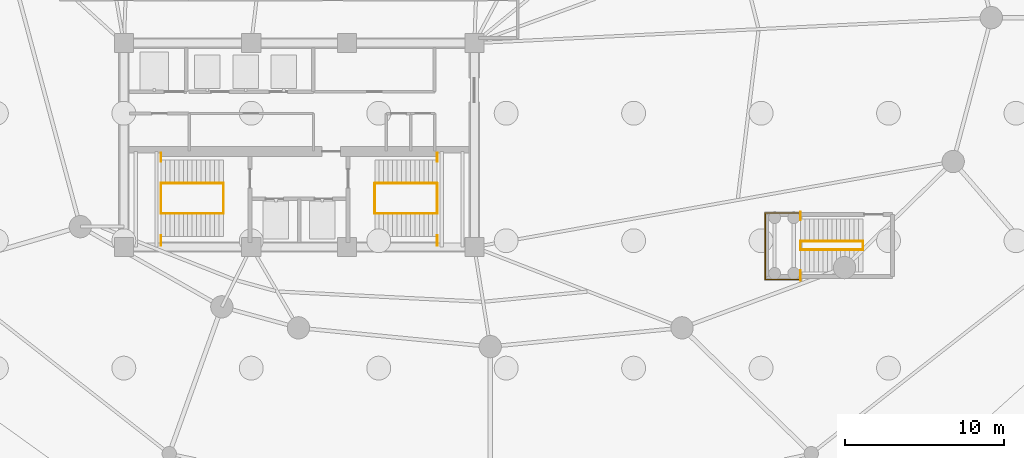
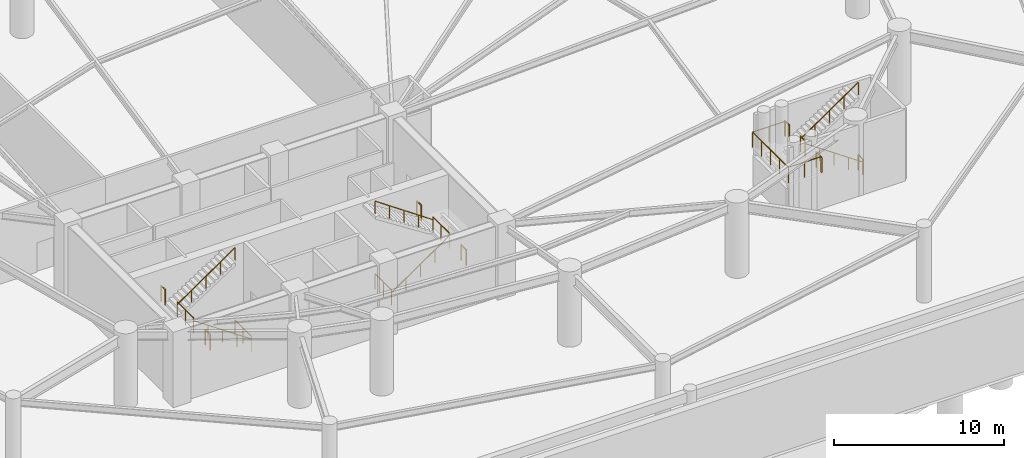
# One storey, part 17 of 22: 19 railings.
"""IFC4 building model written with IfcOpenShell, lengths in metres."""

from ifc_helpers import new_model, si_unit, direction, frame, origin, origin_2d, place, context, subcontext, project, spatial, rectangle, extrude, material, type_object, element, save


model = new_model("IFC4")

# Units and contexts
model_context = context("Model", 3, precision=1e-05, world=origin(), true_north=direction((0.0, 1.0)))
body_context = subcontext(model_context, "Body", "Model", "MODEL_VIEW")
ifc_project = project(units=[si_unit("LENGTHUNIT", "METRE"), si_unit("AREAUNIT", "SQUARE_METRE"), si_unit("VOLUMEUNIT", "CUBIC_METRE"), si_unit("PLANEANGLEUNIT", "RADIAN"), si_unit("MASSUNIT", "GRAM", prefix="KILO")], contexts=[model_context])

# Site, building, storey
site_placement = place(None, origin())
site = spatial("IfcSite", under=ifc_project, at=site_placement, CompositionType="ELEMENT")
building_placement = place(site_placement, origin())
building = spatial("IfcBuilding", under=site, at=building_placement, Name="Kazevale Care Tower and Concert Hall", CompositionType="ELEMENT")
storey_placement = place(building_placement, frame((0.0, 0.0, -5.39990234375)))
storey = spatial("IfcBuildingStorey", under=building, at=storey_placement, Name="B1", CompositionType="ELEMENT", Elevation=-5.39990234375)

# Railings
ifc_material = material(Name="Stainless Steel 316", Category="steel")
railing_type_1 = type_object("IfcRailingType", Name="Stair Pitch Handrail 920", PredefinedType="HANDRAIL", material=ifc_material)
railing_1_placement = place(storey_placement, frame((28.25, 25.699951171875, 0.0)))
element("IfcRailing", 1, at=railing_1_placement, inside=storey, type_object=railing_type_1, Name="stair:B1:ST1:hr1", PredefinedType="HANDRAIL", context=body_context, shape_type="SweptSolid", body=[
    extrude(rectangle(XDim=0.048095703125, YDim=0.048095703125, at=origin_2d()), frame((0.0, 0.0, 0.89599609375), z_axis=(-0.823550731654, 0.0, 0.567242622158), x_axis=(0.0, -1.0, 0.0)), (0.0, 0.0, 1.0), 4.759765625),
    extrude(rectangle(XDim=0.0419921875, YDim=0.0419921875, at=origin_2d()), origin(), (0.0, 0.0, 1.0), 0.871826171875),
    extrude(rectangle(XDim=0.0419921875, YDim=0.0419921875, at=origin_2d()), frame((-0.97998046875, 0.0, 0.675048828125)), (0.0, 0.0, 1.0), 0.871826171875),
    extrude(rectangle(XDim=0.0419921875, YDim=0.0419921875, at=origin_2d()), frame((-1.9599609375, 0.0, 1.35009765625)), (0.0, 0.0, 1.0), 0.871826171875),
    extrude(rectangle(XDim=0.0419921875, YDim=0.0419921875, at=origin_2d()), frame((-2.93994140625, 0.0, 2.02490234375)), (0.0, 0.0, 1.0), 0.871826171875),
    extrude(rectangle(XDim=0.0419921875, YDim=0.0419921875, at=origin_2d()), frame((-3.919921875, 0.0, 2.699951171875)), (0.0, 0.0, 1.0), 0.871826171875),
])
for number, where, name in (
    (2, (24.330078125, 27.60009765625, 2.699951171875), "stair:B1:ST1:hr2"),
    (3, (37.75, 25.699951171875, 0.0), "stair:B1:ST2:hr1"),
):
    element("IfcRailing", number, at=place(storey_placement, frame(where)), inside=storey, type_object=railing_type_1, Name=name, PredefinedType="HANDRAIL", context=body_context, shape_type="SweptSolid", body=[
        extrude(rectangle(XDim=0.048095703125, YDim=0.048095703125, at=origin_2d()), frame((0.0, 0.0, 0.89599609375), z_axis=(0.823550731654, 0.0, 0.567242622158), x_axis=(0.0, 1.0, 0.0)), (0.0, 0.0, 1.0), 4.759765625),
        extrude(rectangle(XDim=0.0419921875, YDim=0.0419921875, at=origin_2d()), origin(), (0.0, 0.0, 1.0), 0.871826171875),
        extrude(rectangle(XDim=0.0419921875, YDim=0.0419921875, at=origin_2d()), frame((0.97998046875, 0.0, 0.675048828125)), (0.0, 0.0, 1.0), 0.871826171875),
        extrude(rectangle(XDim=0.0419921875, YDim=0.0419921875, at=origin_2d()), frame((1.9599609375, 0.0, 1.35009765625)), (0.0, 0.0, 1.0), 0.871826171875),
        extrude(rectangle(XDim=0.0419921875, YDim=0.0419921875, at=origin_2d()), frame((2.93994140625, 0.0, 2.02490234375)), (0.0, 0.0, 1.0), 0.871826171875),
        extrude(rectangle(XDim=0.0419921875, YDim=0.0419921875, at=origin_2d()), frame((3.919921875, 0.0, 2.699951171875)), (0.0, 0.0, 1.0), 0.871826171875),
    ])
for number, where, name in (
    (4, (41.669921875, 27.60009765625, 2.699951171875), "stair:B1:ST2:hr2"),
    (5, (68.39990234375, 23.429931640625, 0.0), "stair:B1:ST3:hr1"),
):
    element("IfcRailing", number, at=place(storey_placement, frame(where)), inside=storey, type_object=railing_type_1, Name=name, PredefinedType="HANDRAIL", context=body_context, shape_type="SweptSolid", body=[
        extrude(rectangle(XDim=0.048095703125, YDim=0.048095703125, at=origin_2d()), frame((0.0, 0.0, 0.89599609375), z_axis=(-0.823550731654, 0.0, 0.567242622158), x_axis=(0.0, -1.0, 0.0)), (0.0, 0.0, 1.0), 4.759765625),
        extrude(rectangle(XDim=0.0419921875, YDim=0.0419921875, at=origin_2d()), origin(), (0.0, 0.0, 1.0), 0.871826171875),
        extrude(rectangle(XDim=0.0419921875, YDim=0.0419921875, at=origin_2d()), frame((-0.97998046875, 0.0, 0.675048828125)), (0.0, 0.0, 1.0), 0.871826171875),
        extrude(rectangle(XDim=0.0419921875, YDim=0.0419921875, at=origin_2d()), frame((-1.9599609375, 0.0, 1.35009765625)), (0.0, 0.0, 1.0), 0.871826171875),
        extrude(rectangle(XDim=0.0419921875, YDim=0.0419921875, at=origin_2d()), frame((-2.93994140625, 0.0, 2.02490234375)), (0.0, 0.0, 1.0), 0.871826171875),
        extrude(rectangle(XDim=0.0419921875, YDim=0.0419921875, at=origin_2d()), frame((-3.919921875, 0.0, 2.699951171875)), (0.0, 0.0, 1.0), 0.871826171875),
    ])
railing_2_placement = place(storey_placement, frame((64.47998046875, 23.969970703125, 2.699951171875)))
element("IfcRailing", 6, at=railing_2_placement, inside=storey, type_object=railing_type_1, Name="stair:B1:ST3:hr2", PredefinedType="HANDRAIL", context=body_context, shape_type="SweptSolid", body=[
    extrude(rectangle(XDim=0.048095703125, YDim=0.048095703125, at=origin_2d()), frame((0.0, 0.0, 0.89599609375), z_axis=(0.823550731654, 0.0, 0.567242622158), x_axis=(0.0, 1.0, 0.0)), (0.0, 0.0, 1.0), 4.759765625),
    extrude(rectangle(XDim=0.0419921875, YDim=0.0419921875, at=origin_2d()), origin(), (0.0, 0.0, 1.0), 0.871826171875),
    extrude(rectangle(XDim=0.0419921875, YDim=0.0419921875, at=origin_2d()), frame((0.97998046875, 0.0, 0.675048828125)), (0.0, 0.0, 1.0), 0.871826171875),
    extrude(rectangle(XDim=0.0419921875, YDim=0.0419921875, at=origin_2d()), frame((1.9599609375, 0.0, 1.35009765625)), (0.0, 0.0, 1.0), 0.871826171875),
    extrude(rectangle(XDim=0.0419921875, YDim=0.0419921875, at=origin_2d()), frame((2.93994140625, 0.0, 2.02490234375)), (0.0, 0.0, 1.0), 0.871826171875),
    extrude(rectangle(XDim=0.0419921875, YDim=0.0419921875, at=origin_2d()), frame((3.919921875, 0.0, 2.699951171875)), (0.0, 0.0, 1.0), 0.871826171875),
])
railing_type_2 = type_object("IfcRailingType", Name="Stair Well Guard Balustrade 1120", PredefinedType="BALUSTRADE", material=ifc_material)
railing_3_placement = place(storey_placement, frame((24.330078125, 23.699951171875, 2.699951171875)))
element("IfcRailing", 7, at=railing_3_placement, inside=storey, type_object=railing_type_2, Name="stair:B1:ST1:grd_side1", PredefinedType="BALUSTRADE", context=body_context, shape_type="SweptSolid", body=[
    extrude(rectangle(XDim=0.048095703125, YDim=0.048095703125, at=origin_2d()), frame((0.0, 0.0, 1.09619140625), z_axis=(0.0, 1.0, 0.0), x_axis=(-1.0, 0.0, 0.0)), (0.0, 0.0, 1.0), 0.610107421875),
    extrude(rectangle(XDim=0.0419921875, YDim=0.0419921875, at=origin_2d()), origin(), (0.0, 0.0, 1.0), 1.072021484375),
    extrude(rectangle(XDim=0.0419921875, YDim=0.0419921875, at=origin_2d()), frame((0.0, 0.610107421875, 0.0)), (0.0, 0.0, 1.0), 1.072021484375),
])
railing_4_placement = place(storey_placement, frame((24.330078125, 28.989990234375, 2.699951171875)))
element("IfcRailing", 8, at=railing_4_placement, inside=storey, type_object=railing_type_2, Name="stair:B1:ST1:grd_side2", PredefinedType="BALUSTRADE", context=body_context, shape_type="SweptSolid", body=[
    extrude(rectangle(XDim=0.048095703125, YDim=0.048095703125, at=origin_2d()), frame((0.0, 0.0, 1.09619140625), z_axis=(0.0, 1.0, 0.0), x_axis=(-1.0, 0.0, 0.0)), (0.0, 0.0, 1.0), 0.510009765625),
    extrude(rectangle(XDim=0.0419921875, YDim=0.0419921875, at=origin_2d()), origin(), (0.0, 0.0, 1.0), 1.072021484375),
    extrude(rectangle(XDim=0.0419921875, YDim=0.0419921875, at=origin_2d()), frame((0.0, 0.510009765625, 0.0)), (0.0, 0.0, 1.0), 1.072021484375),
])
for number, where, name in (
    (9, (24.330078125, 25.699951171875, 2.699951171875), "stair:B1:ST1:grd_mid"),
    (10, (28.25, 25.699951171875, 0.0), "stair:B1:ST1:grd_flr"),
):
    element("IfcRailing", number, at=place(storey_placement, frame(where)), inside=storey, type_object=railing_type_2, Name=name, PredefinedType="BALUSTRADE", context=body_context, shape_type="SweptSolid", body=[
        extrude(rectangle(XDim=0.048095703125, YDim=0.048095703125, at=origin_2d()), frame((0.0, 0.0, 1.09619140625), z_axis=(0.0, 1.0, 0.0), x_axis=(-1.0, 0.0, 0.0)), (0.0, 0.0, 1.0), 1.900146484375),
        extrude(rectangle(XDim=0.0419921875, YDim=0.0419921875, at=origin_2d()), origin(), (0.0, 0.0, 1.0), 1.072021484375),
        extrude(rectangle(XDim=0.0419921875, YDim=0.0419921875, at=origin_2d()), frame((0.0, 0.9501953125, 0.0)), (0.0, 0.0, 1.0), 1.072021484375),
        extrude(rectangle(XDim=0.0419921875, YDim=0.0419921875, at=origin_2d()), frame((0.0, 1.900146484375, 0.0)), (0.0, 0.0, 1.0), 1.072021484375),
    ])
railing_5_placement = place(storey_placement, frame((41.669921875, 23.699951171875, 2.699951171875)))
element("IfcRailing", 11, at=railing_5_placement, inside=storey, type_object=railing_type_2, Name="stair:B1:ST2:grd_side1", PredefinedType="BALUSTRADE", context=body_context, shape_type="SweptSolid", body=[
    extrude(rectangle(XDim=0.048095703125, YDim=0.048095703125, at=origin_2d()), frame((0.0, 0.0, 1.09619140625), z_axis=(0.0, 1.0, 0.0), x_axis=(-1.0, 0.0, 0.0)), (0.0, 0.0, 1.0), 0.610107421875),
    extrude(rectangle(XDim=0.0419921875, YDim=0.0419921875, at=origin_2d()), origin(), (0.0, 0.0, 1.0), 1.072021484375),
    extrude(rectangle(XDim=0.0419921875, YDim=0.0419921875, at=origin_2d()), frame((0.0, 0.610107421875, 0.0)), (0.0, 0.0, 1.0), 1.072021484375),
])
railing_6_placement = place(storey_placement, frame((41.669921875, 28.989990234375, 2.699951171875)))
element("IfcRailing", 12, at=railing_6_placement, inside=storey, type_object=railing_type_2, Name="stair:B1:ST2:grd_side2", PredefinedType="BALUSTRADE", context=body_context, shape_type="SweptSolid", body=[
    extrude(rectangle(XDim=0.048095703125, YDim=0.048095703125, at=origin_2d()), frame((0.0, 0.0, 1.09619140625), z_axis=(0.0, 1.0, 0.0), x_axis=(-1.0, 0.0, 0.0)), (0.0, 0.0, 1.0), 0.510009765625),
    extrude(rectangle(XDim=0.0419921875, YDim=0.0419921875, at=origin_2d()), origin(), (0.0, 0.0, 1.0), 1.072021484375),
    extrude(rectangle(XDim=0.0419921875, YDim=0.0419921875, at=origin_2d()), frame((0.0, 0.510009765625, 0.0)), (0.0, 0.0, 1.0), 1.072021484375),
])
for number, where, name in (
    (13, (41.669921875, 25.699951171875, 2.699951171875), "stair:B1:ST2:grd_mid"),
    (14, (37.75, 25.699951171875, 0.0), "stair:B1:ST2:grd_flr"),
):
    element("IfcRailing", number, at=place(storey_placement, frame(where)), inside=storey, type_object=railing_type_2, Name=name, PredefinedType="BALUSTRADE", context=body_context, shape_type="SweptSolid", body=[
        extrude(rectangle(XDim=0.048095703125, YDim=0.048095703125, at=origin_2d()), frame((0.0, 0.0, 1.09619140625), z_axis=(0.0, 1.0, 0.0), x_axis=(-1.0, 0.0, 0.0)), (0.0, 0.0, 1.0), 1.900146484375),
        extrude(rectangle(XDim=0.0419921875, YDim=0.0419921875, at=origin_2d()), origin(), (0.0, 0.0, 1.0), 1.072021484375),
        extrude(rectangle(XDim=0.0419921875, YDim=0.0419921875, at=origin_2d()), frame((0.0, 0.9501953125, 0.0)), (0.0, 0.0, 1.0), 1.072021484375),
        extrude(rectangle(XDim=0.0419921875, YDim=0.0419921875, at=origin_2d()), frame((0.0, 1.900146484375, 0.0)), (0.0, 0.0, 1.0), 1.072021484375),
    ])
railing_7_placement = place(storey_placement, frame((64.47998046875, 21.5, 2.699951171875)))
element("IfcRailing", 15, at=railing_7_placement, inside=storey, type_object=railing_type_2, Name="stair:B1:ST3:grd_side1", PredefinedType="BALUSTRADE", context=body_context, shape_type="SweptSolid", body=[
    extrude(rectangle(XDim=0.048095703125, YDim=0.048095703125, at=origin_2d()), frame((0.0, 0.0, 1.09619140625), z_axis=(0.0, 1.0, 0.0), x_axis=(-1.0, 0.0, 0.0)), (0.0, 0.0, 1.0), 0.610107421875),
    extrude(rectangle(XDim=0.0419921875, YDim=0.0419921875, at=origin_2d()), origin(), (0.0, 0.0, 1.0), 1.072021484375),
    extrude(rectangle(XDim=0.0419921875, YDim=0.0419921875, at=origin_2d()), frame((0.0, 0.610107421875, 0.0)), (0.0, 0.0, 1.0), 1.072021484375),
])
railing_8_placement = place(storey_placement, frame((64.47998046875, 25.2900390625, 2.699951171875)))
element("IfcRailing", 16, at=railing_8_placement, inside=storey, type_object=railing_type_2, Name="stair:B1:ST3:grd_side2", PredefinedType="BALUSTRADE", context=body_context, shape_type="SweptSolid", body=[
    extrude(rectangle(XDim=0.048095703125, YDim=0.048095703125, at=origin_2d()), frame((0.0, 0.0, 1.09619140625), z_axis=(0.0, 1.0, 0.0), x_axis=(-1.0, 0.0, 0.0)), (0.0, 0.0, 1.0), 0.510009765625),
    extrude(rectangle(XDim=0.0419921875, YDim=0.0419921875, at=origin_2d()), origin(), (0.0, 0.0, 1.0), 1.072021484375),
    extrude(rectangle(XDim=0.0419921875, YDim=0.0419921875, at=origin_2d()), frame((0.0, 0.510009765625, 0.0)), (0.0, 0.0, 1.0), 1.072021484375),
])
railing_9_placement = place(storey_placement, frame((64.47998046875, 21.56005859375, 2.699951171875)))
element("IfcRailing", 17, at=railing_9_placement, inside=storey, type_object=railing_type_2, Name="stair:B1:ST3:grd_far", PredefinedType="BALUSTRADE", context=body_context, shape_type="SweptSolid", body=[
    extrude(rectangle(XDim=0.048095703125, YDim=0.048095703125, at=origin_2d()), frame((0.0, 0.0, 1.09619140625), z_axis=(-1.0, 0.0, 0.0), x_axis=(0.0, -1.0, 0.0)), (0.0, 0.0, 1.0), 2.219970703125),
    extrude(rectangle(XDim=0.048095703125, YDim=0.048095703125, at=origin_2d()), frame((-2.219970703125, 0.0, 1.09619140625), z_axis=(0.0, 1.0, 0.0), x_axis=(-1.0, 0.0, 0.0)), (0.0, 0.0, 1.0), 4.179931640625),
    extrude(rectangle(XDim=0.048095703125, YDim=0.048095703125, at=origin_2d()), frame((-2.219970703125, 4.179931640625, 1.09619140625), z_axis=(1.0, 0.0, 0.0), x_axis=(0.0, 1.0, 0.0)), (0.0, 0.0, 1.0), 2.219970703125),
    extrude(rectangle(XDim=0.0419921875, YDim=0.0419921875, at=origin_2d()), origin(), (0.0, 0.0, 1.0), 1.072021484375),
    extrude(rectangle(XDim=0.0419921875, YDim=0.0419921875, at=origin_2d()), frame((-1.10986328125, 0.0, 0.0)), (0.0, 0.0, 1.0), 1.072021484375),
    extrude(rectangle(XDim=0.0419921875, YDim=0.0419921875, at=origin_2d()), frame((-2.219970703125, 0.0, 0.0)), (0.0, 0.0, 1.0), 1.072021484375),
    extrude(rectangle(XDim=0.0419921875, YDim=0.0419921875, at=origin_2d()), frame((-2.219970703125, 1.044921875, 0.0)), (0.0, 0.0, 1.0), 1.072021484375),
    extrude(rectangle(XDim=0.0419921875, YDim=0.0419921875, at=origin_2d()), frame((-2.219970703125, 2.08984375, 0.0)), (0.0, 0.0, 1.0), 1.072021484375),
    extrude(rectangle(XDim=0.0419921875, YDim=0.0419921875, at=origin_2d()), frame((-2.219970703125, 3.135009765625, 0.0)), (0.0, 0.0, 1.0), 1.072021484375),
    extrude(rectangle(XDim=0.0419921875, YDim=0.0419921875, at=origin_2d()), frame((-2.219970703125, 4.179931640625, 0.0)), (0.0, 0.0, 1.0), 1.072021484375),
    extrude(rectangle(XDim=0.0419921875, YDim=0.0419921875, at=origin_2d()), frame((-1.10986328125, 4.179931640625, 0.0)), (0.0, 0.0, 1.0), 1.072021484375),
    extrude(rectangle(XDim=0.0419921875, YDim=0.0419921875, at=origin_2d()), frame((0.0, 4.179931640625, 0.0)), (0.0, 0.0, 1.0), 1.072021484375),
])
for number, where, name in (
    (18, (64.47998046875, 23.429931640625, 2.699951171875), "stair:B1:ST3:grd_mid"),
    (19, (68.39990234375, 23.429931640625, 0.0), "stair:B1:ST3:grd_flr"),
):
    element("IfcRailing", number, at=place(storey_placement, frame(where)), inside=storey, type_object=railing_type_2, Name=name, PredefinedType="BALUSTRADE", context=body_context, shape_type="SweptSolid", body=[
        extrude(rectangle(XDim=0.048095703125, YDim=0.048095703125, at=origin_2d()), frame((0.0, 0.0, 1.09619140625), z_axis=(0.0, 1.0, 0.0), x_axis=(-1.0, 0.0, 0.0)), (0.0, 0.0, 1.0), 0.5400390625),
        extrude(rectangle(XDim=0.0419921875, YDim=0.0419921875, at=origin_2d()), origin(), (0.0, 0.0, 1.0), 1.072021484375),
        extrude(rectangle(XDim=0.0419921875, YDim=0.0419921875, at=origin_2d()), frame((0.0, 0.5400390625, 0.0)), (0.0, 0.0, 1.0), 1.072021484375),
    ])

save(model, "model.ifc")
